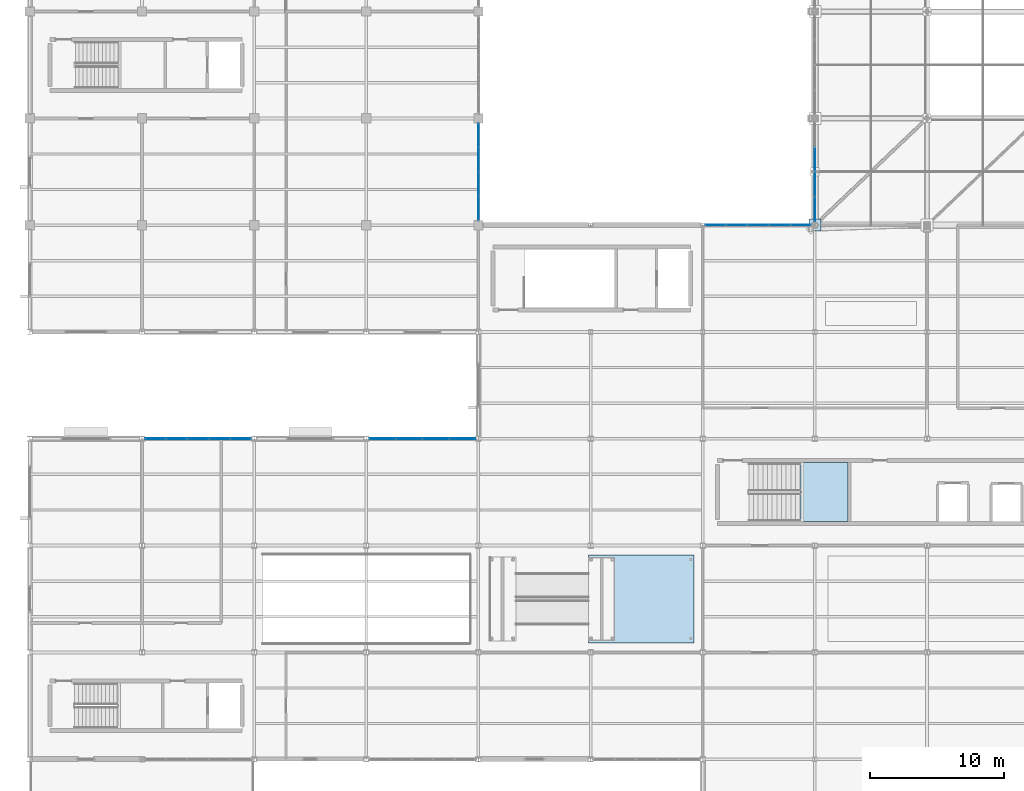
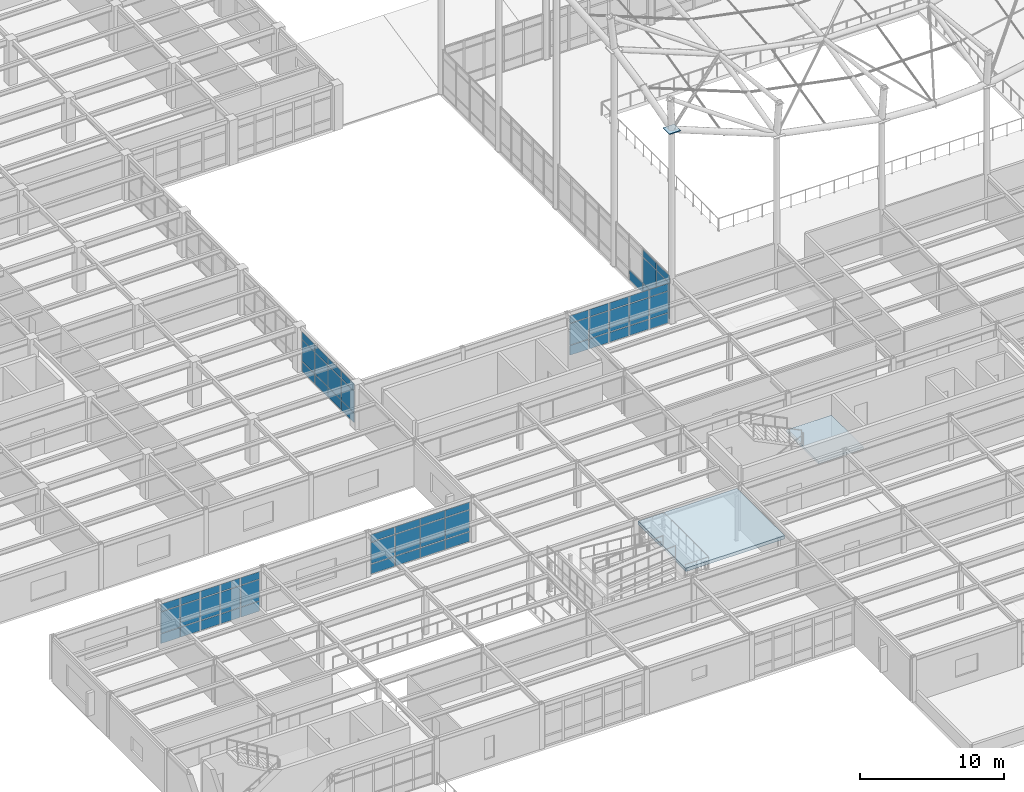
# One storey, part 57 of 138: 62 plates, 2 slabs, 7 elements without a shape of their own.
"""IFC4 building model written with IfcOpenShell, lengths in metres."""

from ifc_helpers import new_model, si_unit, direction, frame, origin, origin_2d, place, context, subcontext, project, spatial, polyline, rectangle, outline, extrude, material, layer, layer_set, type_object, element, aggregate, save


model = new_model("IFC4")

# Units and contexts
model_context = context("Model", 3, precision=1e-05, world=origin(), true_north=direction((0.0, 1.0)))
body_context = subcontext(model_context, "Body", "Model", "MODEL_VIEW")
ifc_project = project(units=[si_unit("LENGTHUNIT", "METRE"), si_unit("AREAUNIT", "SQUARE_METRE"), si_unit("VOLUMEUNIT", "CUBIC_METRE"), si_unit("PLANEANGLEUNIT", "RADIAN"), si_unit("MASSUNIT", "GRAM", prefix="KILO")], contexts=[model_context])

# Site, building, storey
site_placement = place(None, origin())
site = spatial("IfcSite", under=ifc_project, at=site_placement, CompositionType="ELEMENT")
building_placement = place(site_placement, origin())
building = spatial("IfcBuilding", under=site, at=building_placement, Name="Kranzveld Transit Interchange", CompositionType="ELEMENT")
storey_placement = place(building_placement, frame((0.0, 0.0, 5.43994140625)))
storey = spatial("IfcBuildingStorey", under=building, at=storey_placement, Name="L01", CompositionType="ELEMENT", Elevation=5.43994140625)

# Curtain wall, plates
ifc_material_1 = material(Name="Bronze-anodised thermally broken aluminium", Category="aluminium")
ifc_layer_1 = layer(ifc_material_1, 0.159912109375)
ifc_layer_set_1 = layer_set([ifc_layer_1], Name="Bronze-anodised thermally broken aluminium")
curtain_wall_type_1 = type_object("IfcCurtainWallType", Name="Bus Boarding Glazed Screen CW-3", PredefinedType="USERDEFINED", material=ifc_layer_set_1)
curtain_wall_1_placement = place(storey_placement, origin())
curtain_wall_1 = element("IfcCurtainWall", 1, at=curtain_wall_1_placement, inside=storey, type_object=curtain_wall_type_1, Name="L01 Curtain Wall 05/H-05/J", ObjectType="CURTAIN WALL", PredefinedType="USERDEFINED")
ifc_material_2 = material(Name="Solar-control double glazing", Category="glass")
ifc_layer_2 = layer(ifc_material_2, 0.031982421875)
ifc_layer_set_2 = layer_set([ifc_layer_2], Name="Solar-control double glazing")
plate_type_1 = type_object("IfcPlateType", Name="Curtain Panel Acoustic Glazing 32", PredefinedType="CURTAIN_PANEL", material=ifc_layer_set_2)
plate_1_placement = place(storey_placement, frame((33.60009765625, 57.277587890625, 0.06005859375), z_axis=(0.0, 0.0, 1.0), x_axis=(0.0, 1.0, 0.0)))
plate_1 = element("IfcPlate", 2, at=plate_1_placement, type_object=plate_type_1, Name="CW-3 panel 1.1", PredefinedType="CURTAIN_PANEL", context=body_context, shape_type="SweptSolid", body=[
    extrude(rectangle(XDim=1.735107421875, YDim=0.031982421875, at=origin_2d()), origin(), (0.0, 0.0, 1.0), 0.81005859375),
])
plate_2_placement = place(storey_placement, frame((33.60009765625, 57.277587890625, 0.93017578125), z_axis=(0.0, 0.0, 1.0), x_axis=(0.0, 1.0, 0.0)))
plate_2 = element("IfcPlate", 3, at=plate_2_placement, type_object=plate_type_1, Name="CW-3 panel 1.2", PredefinedType="CURTAIN_PANEL", context=body_context, shape_type="SweptSolid", body=[
    extrude(rectangle(XDim=1.735107421875, YDim=0.031982421875, at=origin_2d()), origin(), (0.0, 0.0, 1.0), 1.781982421875),
])
plate_3_placement = place(storey_placement, frame((33.60009765625, 57.277587890625, 2.77197265625), z_axis=(0.0, 0.0, 1.0), x_axis=(0.0, 1.0, 0.0)))
plate_3 = element("IfcPlate", 4, at=plate_3_placement, type_object=plate_type_1, Name="CW-3 panel 1.3", PredefinedType="CURTAIN_PANEL", context=body_context, shape_type="SweptSolid", body=[
    extrude(rectangle(XDim=1.735107421875, YDim=0.031982421875, at=origin_2d()), origin(), (0.0, 0.0, 1.0), 0.610107421875),
])
plate_4_placement = place(storey_placement, frame((33.60009765625, 59.08740234375, 0.06005859375), z_axis=(0.0, 0.0, 1.0), x_axis=(0.0, 1.0, 0.0)))
plate_4 = element("IfcPlate", 5, at=plate_4_placement, type_object=plate_type_1, Name="CW-3 panel 2.1", PredefinedType="CURTAIN_PANEL", context=body_context, shape_type="SweptSolid", body=[
    extrude(rectangle(XDim=1.764892578125, YDim=0.031982421875, at=origin_2d()), origin(), (0.0, 0.0, 1.0), 0.81005859375),
])
plate_5_placement = place(storey_placement, frame((33.60009765625, 59.08740234375, 0.93017578125), z_axis=(0.0, 0.0, 1.0), x_axis=(0.0, 1.0, 0.0)))
plate_5 = element("IfcPlate", 6, at=plate_5_placement, type_object=plate_type_1, Name="CW-3 panel 2.2", PredefinedType="CURTAIN_PANEL", context=body_context, shape_type="SweptSolid", body=[
    extrude(rectangle(XDim=1.764892578125, YDim=0.031982421875, at=origin_2d()), origin(), (0.0, 0.0, 1.0), 1.781982421875),
])
plate_6_placement = place(storey_placement, frame((33.60009765625, 59.08740234375, 2.77197265625), z_axis=(0.0, 0.0, 1.0), x_axis=(0.0, 1.0, 0.0)))
plate_6 = element("IfcPlate", 7, at=plate_6_placement, type_object=plate_type_1, Name="CW-3 panel 2.3", PredefinedType="CURTAIN_PANEL", context=body_context, shape_type="SweptSolid", body=[
    extrude(rectangle(XDim=1.764892578125, YDim=0.031982421875, at=origin_2d()), origin(), (0.0, 0.0, 1.0), 0.610107421875),
])
plate_7_placement = place(storey_placement, frame((33.60009765625, 60.91259765625, 0.06005859375), z_axis=(0.0, 0.0, 1.0), x_axis=(0.0, 1.0, 0.0)))
plate_7 = element("IfcPlate", 8, at=plate_7_placement, type_object=plate_type_1, Name="CW-3 panel 3.1", PredefinedType="CURTAIN_PANEL", context=body_context, shape_type="SweptSolid", body=[
    extrude(rectangle(XDim=1.764892578125, YDim=0.031982421875, at=origin_2d()), origin(), (0.0, 0.0, 1.0), 0.81005859375),
])
plate_8_placement = place(storey_placement, frame((33.60009765625, 60.91259765625, 0.93017578125), z_axis=(0.0, 0.0, 1.0), x_axis=(0.0, 1.0, 0.0)))
plate_8 = element("IfcPlate", 9, at=plate_8_placement, type_object=plate_type_1, Name="CW-3 panel 3.2", PredefinedType="CURTAIN_PANEL", context=body_context, shape_type="SweptSolid", body=[
    extrude(rectangle(XDim=1.764892578125, YDim=0.031982421875, at=origin_2d()), origin(), (0.0, 0.0, 1.0), 1.781982421875),
])
plate_9_placement = place(storey_placement, frame((33.60009765625, 60.91259765625, 2.77197265625), z_axis=(0.0, 0.0, 1.0), x_axis=(0.0, 1.0, 0.0)))
plate_9 = element("IfcPlate", 10, at=plate_9_placement, type_object=plate_type_1, Name="CW-3 panel 3.3", PredefinedType="CURTAIN_PANEL", context=body_context, shape_type="SweptSolid", body=[
    extrude(rectangle(XDim=1.764892578125, YDim=0.031982421875, at=origin_2d()), origin(), (0.0, 0.0, 1.0), 0.610107421875),
])
plate_10_placement = place(storey_placement, frame((33.60009765625, 62.722412109375, 0.06005859375), z_axis=(0.0, 0.0, 1.0), x_axis=(0.0, 1.0, 0.0)))
plate_10 = element("IfcPlate", 11, at=plate_10_placement, type_object=plate_type_1, Name="CW-3 panel 4.1", PredefinedType="CURTAIN_PANEL", context=body_context, shape_type="SweptSolid", body=[
    extrude(rectangle(XDim=1.735107421875, YDim=0.031982421875, at=origin_2d()), origin(), (0.0, 0.0, 1.0), 0.81005859375),
])
plate_11_placement = place(storey_placement, frame((33.60009765625, 62.722412109375, 0.93017578125), z_axis=(0.0, 0.0, 1.0), x_axis=(0.0, 1.0, 0.0)))
plate_11 = element("IfcPlate", 12, at=plate_11_placement, type_object=plate_type_1, Name="CW-3 panel 4.2", PredefinedType="CURTAIN_PANEL", context=body_context, shape_type="SweptSolid", body=[
    extrude(rectangle(XDim=1.735107421875, YDim=0.031982421875, at=origin_2d()), origin(), (0.0, 0.0, 1.0), 1.781982421875),
])
plate_12_placement = place(storey_placement, frame((33.60009765625, 62.722412109375, 2.77197265625), z_axis=(0.0, 0.0, 1.0), x_axis=(0.0, 1.0, 0.0)))
plate_12 = element("IfcPlate", 13, at=plate_12_placement, type_object=plate_type_1, Name="CW-3 panel 4.3", PredefinedType="CURTAIN_PANEL", context=body_context, shape_type="SweptSolid", body=[
    extrude(rectangle(XDim=1.735107421875, YDim=0.031982421875, at=origin_2d()), origin(), (0.0, 0.0, 1.0), 0.610107421875),
])
aggregate(curtain_wall_1, [plate_1, plate_2, plate_3, plate_4, plate_5, plate_6, plate_7, plate_8, plate_9, plate_10, plate_11, plate_12])

ifc_material_3 = material(Name="Bronze-anodised thermally broken aluminium", Category="aluminium")
ifc_layer_3 = layer(ifc_material_3, 0.1650390625)
ifc_layer_set_3 = layer_set([ifc_layer_3], Name="Bronze-anodised thermally broken aluminium")
curtain_wall_type_2 = type_object("IfcCurtainWallType", Name="Sunny Court Arcade Curtain Wall CW-2", PredefinedType="USERDEFINED", material=ifc_layer_set_3)
curtain_wall_2_placement = place(storey_placement, origin())
curtain_wall_2 = element("IfcCurtainWall", 14, at=curtain_wall_2_placement, inside=storey, type_object=curtain_wall_type_2, Name="L01 Curtain Wall 02/F-03/F", ObjectType="CURTAIN WALL", PredefinedType="USERDEFINED")
ifc_material_4 = material(Name="Pretoria red-purple clinker clay face brick, 35 MPa", Category="masonry")
ifc_layer_4 = layer(ifc_material_4, 0.050048828125)
ifc_layer_set_4 = layer_set([ifc_layer_4], Name="Pretoria red-purple clinker clay face brick, 35 MPa")
plate_type_2 = type_object("IfcPlateType", Name="Curtain Spandrel Clinker Tile 50", PredefinedType="CURTAIN_PANEL", material=ifc_layer_set_4)
plate_13_placement = place(storey_placement, frame((9.406005859375, 40.0, 0.06005859375), z_axis=(0.0, 0.0, 1.0), x_axis=(1.0, 0.0, 0.0)))
plate_13 = element("IfcPlate", 15, at=plate_13_placement, type_object=plate_type_2, Name="CW-2 panel 1.1", PredefinedType="CURTAIN_PANEL", context=body_context, shape_type="SweptSolid", body=[
    extrude(rectangle(XDim=1.507568359375, YDim=0.050048828125, at=origin_2d()), origin(), (0.0, 0.0, 1.0), 0.81005859375),
])
plate_14_placement = place(storey_placement, frame((9.406005859375, 40.0, 0.929931640625), z_axis=(0.0, 0.0, 1.0), x_axis=(1.0, 0.0, 0.0)))
plate_14 = element("IfcPlate", 16, at=plate_14_placement, type_object=plate_type_2, Name="CW-2 panel 1.2", PredefinedType="CURTAIN_PANEL", context=body_context, shape_type="SweptSolid", body=[
    extrude(rectangle(XDim=1.507568359375, YDim=0.050048828125, at=origin_2d()), origin(), (0.0, 0.0, 1.0), 1.7900390625),
])
plate_15_placement = place(storey_placement, frame((9.406005859375, 40.0, 2.77978515625), z_axis=(0.0, 0.0, 1.0), x_axis=(1.0, 0.0, 0.0)))
plate_15 = element("IfcPlate", 17, at=plate_15_placement, type_object=plate_type_2, Name="CW-2 panel 1.3", PredefinedType="CURTAIN_PANEL", context=body_context, shape_type="SweptSolid", body=[
    extrude(rectangle(XDim=1.507568359375, YDim=0.050048828125, at=origin_2d()), origin(), (0.0, 0.0, 1.0), 0.610107421875),
])
plate_16_placement = place(storey_placement, frame((10.994873046875, 40.0, 0.06005859375), z_axis=(0.0, 0.0, 1.0), x_axis=(1.0, 0.0, 0.0)))
plate_16 = element("IfcPlate", 18, at=plate_16_placement, type_object=plate_type_2, Name="CW-2 panel 2.1", PredefinedType="CURTAIN_PANEL", context=body_context, shape_type="SweptSolid", body=[
    extrude(rectangle(XDim=1.5400390625, YDim=0.050048828125, at=origin_2d()), origin(), (0.0, 0.0, 1.0), 0.81005859375),
])
plate_17_placement = place(storey_placement, frame((10.994873046875, 40.0, 0.929931640625), z_axis=(0.0, 0.0, 1.0), x_axis=(1.0, 0.0, 0.0)))
plate_17 = element("IfcPlate", 19, at=plate_17_placement, type_object=plate_type_2, Name="CW-2 panel 2.2", PredefinedType="CURTAIN_PANEL", context=body_context, shape_type="SweptSolid", body=[
    extrude(rectangle(XDim=1.5400390625, YDim=0.050048828125, at=origin_2d()), origin(), (0.0, 0.0, 1.0), 1.7900390625),
])
plate_18_placement = place(storey_placement, frame((10.994873046875, 40.0, 2.77978515625), z_axis=(0.0, 0.0, 1.0), x_axis=(1.0, 0.0, 0.0)))
plate_18 = element("IfcPlate", 20, at=plate_18_placement, type_object=plate_type_2, Name="CW-2 panel 2.3", PredefinedType="CURTAIN_PANEL", context=body_context, shape_type="SweptSolid", body=[
    extrude(rectangle(XDim=1.5400390625, YDim=0.050048828125, at=origin_2d()), origin(), (0.0, 0.0, 1.0), 0.610107421875),
])
plate_19_placement = place(storey_placement, frame((12.60009765625, 40.0, 0.06005859375), z_axis=(0.0, 0.0, 1.0), x_axis=(1.0, 0.0, 0.0)))
plate_19 = element("IfcPlate", 21, at=plate_19_placement, type_object=plate_type_2, Name="CW-2 panel 3.1", PredefinedType="CURTAIN_PANEL", context=body_context, shape_type="SweptSolid", body=[
    extrude(rectangle(XDim=1.5400390625, YDim=0.050048828125, at=origin_2d()), origin(), (0.0, 0.0, 1.0), 0.81005859375),
])
plate_20_placement = place(storey_placement, frame((12.60009765625, 40.0, 0.929931640625), z_axis=(0.0, 0.0, 1.0), x_axis=(1.0, 0.0, 0.0)))
plate_20 = element("IfcPlate", 22, at=plate_20_placement, type_object=plate_type_2, Name="CW-2 panel 3.2", PredefinedType="CURTAIN_PANEL", context=body_context, shape_type="SweptSolid", body=[
    extrude(rectangle(XDim=1.5400390625, YDim=0.050048828125, at=origin_2d()), origin(), (0.0, 0.0, 1.0), 1.7900390625),
])
plate_21_placement = place(storey_placement, frame((12.60009765625, 40.0, 2.77978515625), z_axis=(0.0, 0.0, 1.0), x_axis=(1.0, 0.0, 0.0)))
plate_21 = element("IfcPlate", 23, at=plate_21_placement, type_object=plate_type_2, Name="CW-2 panel 3.3", PredefinedType="CURTAIN_PANEL", context=body_context, shape_type="SweptSolid", body=[
    extrude(rectangle(XDim=1.5400390625, YDim=0.050048828125, at=origin_2d()), origin(), (0.0, 0.0, 1.0), 0.610107421875),
])
plate_22_placement = place(storey_placement, frame((14.205078125, 40.0, 0.06005859375), z_axis=(0.0, 0.0, 1.0), x_axis=(1.0, 0.0, 0.0)))
plate_22 = element("IfcPlate", 24, at=plate_22_placement, type_object=plate_type_2, Name="CW-2 panel 4.1", PredefinedType="CURTAIN_PANEL", context=body_context, shape_type="SweptSolid", body=[
    extrude(rectangle(XDim=1.5400390625, YDim=0.050048828125, at=origin_2d()), origin(), (0.0, 0.0, 1.0), 0.81005859375),
])
plate_23_placement = place(storey_placement, frame((14.205078125, 40.0, 0.929931640625), z_axis=(0.0, 0.0, 1.0), x_axis=(1.0, 0.0, 0.0)))
plate_23 = element("IfcPlate", 25, at=plate_23_placement, type_object=plate_type_2, Name="CW-2 panel 4.2", PredefinedType="CURTAIN_PANEL", context=body_context, shape_type="SweptSolid", body=[
    extrude(rectangle(XDim=1.5400390625, YDim=0.050048828125, at=origin_2d()), origin(), (0.0, 0.0, 1.0), 1.7900390625),
])
plate_24_placement = place(storey_placement, frame((14.205078125, 40.0, 2.77978515625), z_axis=(0.0, 0.0, 1.0), x_axis=(1.0, 0.0, 0.0)))
plate_24 = element("IfcPlate", 26, at=plate_24_placement, type_object=plate_type_2, Name="CW-2 panel 4.3", PredefinedType="CURTAIN_PANEL", context=body_context, shape_type="SweptSolid", body=[
    extrude(rectangle(XDim=1.5400390625, YDim=0.050048828125, at=origin_2d()), origin(), (0.0, 0.0, 1.0), 0.610107421875),
])
plate_25_placement = place(storey_placement, frame((15.7939453125, 40.0, 0.06005859375), z_axis=(0.0, 0.0, 1.0), x_axis=(1.0, 0.0, 0.0)))
plate_25 = element("IfcPlate", 27, at=plate_25_placement, type_object=plate_type_2, Name="CW-2 panel 5.1", PredefinedType="CURTAIN_PANEL", context=body_context, shape_type="SweptSolid", body=[
    extrude(rectangle(XDim=1.507568359375, YDim=0.050048828125, at=origin_2d()), origin(), (0.0, 0.0, 1.0), 0.81005859375),
])
plate_26_placement = place(storey_placement, frame((15.7939453125, 40.0, 0.929931640625), z_axis=(0.0, 0.0, 1.0), x_axis=(1.0, 0.0, 0.0)))
plate_26 = element("IfcPlate", 28, at=plate_26_placement, type_object=plate_type_2, Name="CW-2 panel 5.2", PredefinedType="CURTAIN_PANEL", context=body_context, shape_type="SweptSolid", body=[
    extrude(rectangle(XDim=1.507568359375, YDim=0.050048828125, at=origin_2d()), origin(), (0.0, 0.0, 1.0), 1.7900390625),
])
plate_27_placement = place(storey_placement, frame((15.7939453125, 40.0, 2.77978515625), z_axis=(0.0, 0.0, 1.0), x_axis=(1.0, 0.0, 0.0)))
plate_27 = element("IfcPlate", 29, at=plate_27_placement, type_object=plate_type_2, Name="CW-2 panel 5.3", PredefinedType="CURTAIN_PANEL", context=body_context, shape_type="SweptSolid", body=[
    extrude(rectangle(XDim=1.507568359375, YDim=0.050048828125, at=origin_2d()), origin(), (0.0, 0.0, 1.0), 0.610107421875),
])
aggregate(curtain_wall_2, [plate_13, plate_14, plate_15, plate_16, plate_17, plate_18, plate_19, plate_20, plate_21, plate_22, plate_23, plate_24, plate_25, plate_26, plate_27])

curtain_wall_3_placement = place(storey_placement, origin())
curtain_wall_3 = element("IfcCurtainWall", 30, at=curtain_wall_3_placement, inside=storey, type_object=curtain_wall_type_2, Name="L01 Curtain Wall 07/H-08/H", ObjectType="CURTAIN WALL", PredefinedType="USERDEFINED")
plate_28_placement = place(storey_placement, frame((51.37255859375, 56.0, 0.06005859375), z_axis=(0.0, 0.0, 1.0), x_axis=(1.0, 0.0, 0.0)))
plate_28 = element("IfcPlate", 31, at=plate_28_placement, type_object=plate_type_2, Name="CW-2 panel 1.1", PredefinedType="CURTAIN_PANEL", context=body_context, shape_type="SweptSolid", body=[
    extrude(rectangle(XDim=1.505859375, YDim=0.050048828125, at=origin_2d()), origin(), (0.0, 0.0, 1.0), 0.81005859375),
])
plate_29_placement = place(storey_placement, frame((51.37255859375, 56.0, 0.929931640625), z_axis=(0.0, 0.0, 1.0), x_axis=(1.0, 0.0, 0.0)))
plate_29 = element("IfcPlate", 32, at=plate_29_placement, type_object=plate_type_2, Name="CW-2 panel 1.2", PredefinedType="CURTAIN_PANEL", context=body_context, shape_type="SweptSolid", body=[
    extrude(rectangle(XDim=1.505859375, YDim=0.050048828125, at=origin_2d()), origin(), (0.0, 0.0, 1.0), 1.7900390625),
])
plate_30_placement = place(storey_placement, frame((51.37255859375, 56.0, 2.77978515625), z_axis=(0.0, 0.0, 1.0), x_axis=(1.0, 0.0, 0.0)))
plate_30 = element("IfcPlate", 33, at=plate_30_placement, type_object=plate_type_2, Name="CW-2 panel 1.3", PredefinedType="CURTAIN_PANEL", context=body_context, shape_type="SweptSolid", body=[
    extrude(rectangle(XDim=1.505859375, YDim=0.050048828125, at=origin_2d()), origin(), (0.0, 0.0, 1.0), 0.610107421875),
])
plate_31_placement = place(storey_placement, frame((52.959716796875, 56.0, 0.06005859375), z_axis=(0.0, 0.0, 1.0), x_axis=(1.0, 0.0, 0.0)))
plate_31 = element("IfcPlate", 34, at=plate_31_placement, type_object=plate_type_2, Name="CW-2 panel 2.1", PredefinedType="CURTAIN_PANEL", context=body_context, shape_type="SweptSolid", body=[
    extrude(rectangle(XDim=1.538330078125, YDim=0.050048828125, at=origin_2d()), origin(), (0.0, 0.0, 1.0), 0.81005859375),
])
plate_32_placement = place(storey_placement, frame((52.959716796875, 56.0, 0.929931640625), z_axis=(0.0, 0.0, 1.0), x_axis=(1.0, 0.0, 0.0)))
plate_32 = element("IfcPlate", 35, at=plate_32_placement, type_object=plate_type_2, Name="CW-2 panel 2.2", PredefinedType="CURTAIN_PANEL", context=body_context, shape_type="SweptSolid", body=[
    extrude(rectangle(XDim=1.538330078125, YDim=0.050048828125, at=origin_2d()), origin(), (0.0, 0.0, 1.0), 1.7900390625),
])
plate_33_placement = place(storey_placement, frame((52.959716796875, 56.0, 2.77978515625), z_axis=(0.0, 0.0, 1.0), x_axis=(1.0, 0.0, 0.0)))
plate_33 = element("IfcPlate", 36, at=plate_33_placement, type_object=plate_type_2, Name="CW-2 panel 2.3", PredefinedType="CURTAIN_PANEL", context=body_context, shape_type="SweptSolid", body=[
    extrude(rectangle(XDim=1.538330078125, YDim=0.050048828125, at=origin_2d()), origin(), (0.0, 0.0, 1.0), 0.610107421875),
])
plate_34_placement = place(storey_placement, frame((54.56298828125, 56.0, 0.06005859375), z_axis=(0.0, 0.0, 1.0), x_axis=(1.0, 0.0, 0.0)))
plate_34 = element("IfcPlate", 37, at=plate_34_placement, type_object=plate_type_2, Name="CW-2 panel 3.1", PredefinedType="CURTAIN_PANEL", context=body_context, shape_type="SweptSolid", body=[
    extrude(rectangle(XDim=1.538330078125, YDim=0.050048828125, at=origin_2d()), origin(), (0.0, 0.0, 1.0), 0.81005859375),
])
plate_35_placement = place(storey_placement, frame((54.56298828125, 56.0, 0.929931640625), z_axis=(0.0, 0.0, 1.0), x_axis=(1.0, 0.0, 0.0)))
plate_35 = element("IfcPlate", 38, at=plate_35_placement, type_object=plate_type_2, Name="CW-2 panel 3.2", PredefinedType="CURTAIN_PANEL", context=body_context, shape_type="SweptSolid", body=[
    extrude(rectangle(XDim=1.538330078125, YDim=0.050048828125, at=origin_2d()), origin(), (0.0, 0.0, 1.0), 1.7900390625),
])
plate_36_placement = place(storey_placement, frame((54.56298828125, 56.0, 2.77978515625), z_axis=(0.0, 0.0, 1.0), x_axis=(1.0, 0.0, 0.0)))
plate_36 = element("IfcPlate", 39, at=plate_36_placement, type_object=plate_type_2, Name="CW-2 panel 3.3", PredefinedType="CURTAIN_PANEL", context=body_context, shape_type="SweptSolid", body=[
    extrude(rectangle(XDim=1.538330078125, YDim=0.050048828125, at=origin_2d()), origin(), (0.0, 0.0, 1.0), 0.610107421875),
])
plate_37_placement = place(storey_placement, frame((56.16650390625, 56.0, 0.06005859375), z_axis=(0.0, 0.0, 1.0), x_axis=(1.0, 0.0, 0.0)))
plate_37 = element("IfcPlate", 40, at=plate_37_placement, type_object=plate_type_2, Name="CW-2 panel 4.1", PredefinedType="CURTAIN_PANEL", context=body_context, shape_type="SweptSolid", body=[
    extrude(rectangle(XDim=1.538330078125, YDim=0.050048828125, at=origin_2d()), origin(), (0.0, 0.0, 1.0), 0.81005859375),
])
plate_38_placement = place(storey_placement, frame((56.16650390625, 56.0, 0.929931640625), z_axis=(0.0, 0.0, 1.0), x_axis=(1.0, 0.0, 0.0)))
plate_38 = element("IfcPlate", 41, at=plate_38_placement, type_object=plate_type_2, Name="CW-2 panel 4.2", PredefinedType="CURTAIN_PANEL", context=body_context, shape_type="SweptSolid", body=[
    extrude(rectangle(XDim=1.538330078125, YDim=0.050048828125, at=origin_2d()), origin(), (0.0, 0.0, 1.0), 1.7900390625),
])
plate_39_placement = place(storey_placement, frame((56.16650390625, 56.0, 2.77978515625), z_axis=(0.0, 0.0, 1.0), x_axis=(1.0, 0.0, 0.0)))
plate_39 = element("IfcPlate", 42, at=plate_39_placement, type_object=plate_type_2, Name="CW-2 panel 4.3", PredefinedType="CURTAIN_PANEL", context=body_context, shape_type="SweptSolid", body=[
    extrude(rectangle(XDim=1.538330078125, YDim=0.050048828125, at=origin_2d()), origin(), (0.0, 0.0, 1.0), 0.610107421875),
])
plate_40_placement = place(storey_placement, frame((57.753662109375, 56.0, 0.06005859375), z_axis=(0.0, 0.0, 1.0), x_axis=(1.0, 0.0, 0.0)))
plate_40 = element("IfcPlate", 43, at=plate_40_placement, type_object=plate_type_2, Name="CW-2 panel 5.1", PredefinedType="CURTAIN_PANEL", context=body_context, shape_type="SweptSolid", body=[
    extrude(rectangle(XDim=1.505859375, YDim=0.050048828125, at=origin_2d()), origin(), (0.0, 0.0, 1.0), 0.81005859375),
])
plate_41_placement = place(storey_placement, frame((57.753662109375, 56.0, 0.929931640625), z_axis=(0.0, 0.0, 1.0), x_axis=(1.0, 0.0, 0.0)))
plate_41 = element("IfcPlate", 44, at=plate_41_placement, type_object=plate_type_2, Name="CW-2 panel 5.2", PredefinedType="CURTAIN_PANEL", context=body_context, shape_type="SweptSolid", body=[
    extrude(rectangle(XDim=1.505859375, YDim=0.050048828125, at=origin_2d()), origin(), (0.0, 0.0, 1.0), 1.7900390625),
])
plate_42_placement = place(storey_placement, frame((57.753662109375, 56.0, 2.77978515625), z_axis=(0.0, 0.0, 1.0), x_axis=(1.0, 0.0, 0.0)))
plate_42 = element("IfcPlate", 45, at=plate_42_placement, type_object=plate_type_2, Name="CW-2 panel 5.3", PredefinedType="CURTAIN_PANEL", context=body_context, shape_type="SweptSolid", body=[
    extrude(rectangle(XDim=1.505859375, YDim=0.050048828125, at=origin_2d()), origin(), (0.0, 0.0, 1.0), 0.610107421875),
])
aggregate(curtain_wall_3, [plate_28, plate_29, plate_30, plate_31, plate_32, plate_33, plate_34, plate_35, plate_36, plate_37, plate_38, plate_39, plate_40, plate_41, plate_42])

curtain_wall_4_placement = place(storey_placement, origin())
curtain_wall_4 = element("IfcCurtainWall", 46, at=curtain_wall_4_placement, inside=storey, type_object=curtain_wall_type_1, Name="L01 Curtain Wall 04/F-05/F", ObjectType="CURTAIN WALL", PredefinedType="USERDEFINED")
ifc_material_5 = material(Name="Bronze-anodised thermally broken aluminium", Category="aluminium")
ifc_layer_5 = layer(ifc_material_5, 0.053955078125)
ifc_layer_set_5 = layer_set([ifc_layer_5], Name="Bronze-anodised thermally broken aluminium")
plate_type_3 = type_object("IfcPlateType", Name="Curtain Spandrel Insulated Alu 54", PredefinedType="CURTAIN_PANEL", material=ifc_layer_set_5)
plate_43_placement = place(storey_placement, frame((26.405517578125, 40.0, 0.06494140625), z_axis=(0.0, 0.0, 1.0), x_axis=(1.0, 0.0, 0.0)))
plate_43 = element("IfcPlate", 47, at=plate_43_placement, type_object=plate_type_3, Name="CW-3 panel 1.1", PredefinedType="CURTAIN_PANEL", context=body_context, shape_type="SweptSolid", body=[
    extrude(rectangle(XDim=1.916259765625, YDim=0.053955078125, at=origin_2d()), origin(), (0.0, 0.0, 1.0), 0.802490234375),
])
plate_44_placement = place(storey_placement, frame((26.405517578125, 40.0, 0.9326171875), z_axis=(0.0, 0.0, 1.0), x_axis=(1.0, 0.0, 0.0)))
plate_44 = element("IfcPlate", 48, at=plate_44_placement, type_object=plate_type_3, Name="CW-3 panel 1.2", PredefinedType="CURTAIN_PANEL", context=body_context, shape_type="SweptSolid", body=[
    extrude(rectangle(XDim=1.916259765625, YDim=0.053955078125, at=origin_2d()), origin(), (0.0, 0.0, 1.0), 1.784912109375),
])
plate_45_placement = place(storey_placement, frame((26.405517578125, 40.0, 2.782470703125), z_axis=(0.0, 0.0, 1.0), x_axis=(1.0, 0.0, 0.0)))
plate_45 = element("IfcPlate", 49, at=plate_45_placement, type_object=plate_type_3, Name="CW-3 panel 1.3", PredefinedType="CURTAIN_PANEL", context=body_context, shape_type="SweptSolid", body=[
    extrude(rectangle(XDim=1.916259765625, YDim=0.053955078125, at=origin_2d()), origin(), (0.0, 0.0, 1.0), 0.6025390625),
])
plate_46_placement = place(storey_placement, frame((28.396728515625, 40.0, 0.06494140625), z_axis=(0.0, 0.0, 1.0), x_axis=(1.0, 0.0, 0.0)))
plate_46 = element("IfcPlate", 50, at=plate_46_placement, type_object=plate_type_3, Name="CW-3 panel 2.1", PredefinedType="CURTAIN_PANEL", context=body_context, shape_type="SweptSolid", body=[
    extrude(rectangle(XDim=1.9462890625, YDim=0.053955078125, at=origin_2d()), origin(), (0.0, 0.0, 1.0), 0.802490234375),
])
plate_47_placement = place(storey_placement, frame((28.396728515625, 40.0, 0.9326171875), z_axis=(0.0, 0.0, 1.0), x_axis=(1.0, 0.0, 0.0)))
plate_47 = element("IfcPlate", 51, at=plate_47_placement, type_object=plate_type_3, Name="CW-3 panel 2.2", PredefinedType="CURTAIN_PANEL", context=body_context, shape_type="SweptSolid", body=[
    extrude(rectangle(XDim=1.9462890625, YDim=0.053955078125, at=origin_2d()), origin(), (0.0, 0.0, 1.0), 1.784912109375),
])
plate_48_placement = place(storey_placement, frame((28.396728515625, 40.0, 2.782470703125), z_axis=(0.0, 0.0, 1.0), x_axis=(1.0, 0.0, 0.0)))
plate_48 = element("IfcPlate", 52, at=plate_48_placement, type_object=plate_type_3, Name="CW-3 panel 2.3", PredefinedType="CURTAIN_PANEL", context=body_context, shape_type="SweptSolid", body=[
    extrude(rectangle(XDim=1.9462890625, YDim=0.053955078125, at=origin_2d()), origin(), (0.0, 0.0, 1.0), 0.6025390625),
])
plate_49_placement = place(storey_placement, frame((30.403076171875, 40.0, 0.06494140625), z_axis=(0.0, 0.0, 1.0), x_axis=(1.0, 0.0, 0.0)))
plate_49 = element("IfcPlate", 53, at=plate_49_placement, type_object=plate_type_3, Name="CW-3 panel 3.1", PredefinedType="CURTAIN_PANEL", context=body_context, shape_type="SweptSolid", body=[
    extrude(rectangle(XDim=1.9462890625, YDim=0.053955078125, at=origin_2d()), origin(), (0.0, 0.0, 1.0), 0.802490234375),
])
plate_50_placement = place(storey_placement, frame((30.403076171875, 40.0, 0.9326171875), z_axis=(0.0, 0.0, 1.0), x_axis=(1.0, 0.0, 0.0)))
plate_50 = element("IfcPlate", 54, at=plate_50_placement, type_object=plate_type_3, Name="CW-3 panel 3.2", PredefinedType="CURTAIN_PANEL", context=body_context, shape_type="SweptSolid", body=[
    extrude(rectangle(XDim=1.9462890625, YDim=0.053955078125, at=origin_2d()), origin(), (0.0, 0.0, 1.0), 1.784912109375),
])
plate_51_placement = place(storey_placement, frame((30.403076171875, 40.0, 2.782470703125), z_axis=(0.0, 0.0, 1.0), x_axis=(1.0, 0.0, 0.0)))
plate_51 = element("IfcPlate", 55, at=plate_51_placement, type_object=plate_type_3, Name="CW-3 panel 3.3", PredefinedType="CURTAIN_PANEL", context=body_context, shape_type="SweptSolid", body=[
    extrude(rectangle(XDim=1.9462890625, YDim=0.053955078125, at=origin_2d()), origin(), (0.0, 0.0, 1.0), 0.6025390625),
])
plate_52_placement = place(storey_placement, frame((32.39453125, 40.0, 0.06494140625), z_axis=(0.0, 0.0, 1.0), x_axis=(1.0, 0.0, 0.0)))
plate_52 = element("IfcPlate", 56, at=plate_52_placement, type_object=plate_type_3, Name="CW-3 panel 4.1", PredefinedType="CURTAIN_PANEL", context=body_context, shape_type="SweptSolid", body=[
    extrude(rectangle(XDim=1.916259765625, YDim=0.053955078125, at=origin_2d()), origin(), (0.0, 0.0, 1.0), 0.802490234375),
])
plate_53_placement = place(storey_placement, frame((32.39453125, 40.0, 0.9326171875), z_axis=(0.0, 0.0, 1.0), x_axis=(1.0, 0.0, 0.0)))
plate_53 = element("IfcPlate", 57, at=plate_53_placement, type_object=plate_type_3, Name="CW-3 panel 4.2", PredefinedType="CURTAIN_PANEL", context=body_context, shape_type="SweptSolid", body=[
    extrude(rectangle(XDim=1.916259765625, YDim=0.053955078125, at=origin_2d()), origin(), (0.0, 0.0, 1.0), 1.784912109375),
])
plate_54_placement = place(storey_placement, frame((32.39453125, 40.0, 2.782470703125), z_axis=(0.0, 0.0, 1.0), x_axis=(1.0, 0.0, 0.0)))
plate_54 = element("IfcPlate", 58, at=plate_54_placement, type_object=plate_type_3, Name="CW-3 panel 4.3", PredefinedType="CURTAIN_PANEL", context=body_context, shape_type="SweptSolid", body=[
    extrude(rectangle(XDim=1.916259765625, YDim=0.053955078125, at=origin_2d()), origin(), (0.0, 0.0, 1.0), 0.6025390625),
])
aggregate(curtain_wall_4, [plate_43, plate_44, plate_45, plate_46, plate_47, plate_48, plate_49, plate_50, plate_51, plate_52, plate_53, plate_54])

curtain_wall_5_placement = place(storey_placement, origin())
curtain_wall_5 = element("IfcCurtainWall", 59, at=curtain_wall_5_placement, inside=storey, type_object=curtain_wall_type_1, Name="L01 Curtain Wall 08/H-08/J", ObjectType="CURTAIN WALL", PredefinedType="USERDEFINED")
plate_55_placement = place(storey_placement, frame((58.800048828125, 57.186279296875, 0.06494140625), z_axis=(0.0, 0.0, 1.0), x_axis=(0.0, 1.0, 0.0)))
plate_55 = element("IfcPlate", 60, at=plate_55_placement, type_object=plate_type_3, Name="CW-3 panel 1.1", PredefinedType="CURTAIN_PANEL", context=body_context, shape_type="SweptSolid", body=[
    extrude(rectangle(XDim=1.795654296875, YDim=0.053955078125, at=origin_2d()), origin(), (0.0, 0.0, 1.0), 0.802490234375),
])
plate_56_placement = place(storey_placement, frame((58.800048828125, 57.186279296875, 0.9326171875), z_axis=(0.0, 0.0, 1.0), x_axis=(0.0, 1.0, 0.0)))
plate_56 = element("IfcPlate", 61, at=plate_56_placement, type_object=plate_type_3, Name="CW-3 panel 1.2", PredefinedType="CURTAIN_PANEL", context=body_context, shape_type="SweptSolid", body=[
    extrude(rectangle(XDim=1.795654296875, YDim=0.053955078125, at=origin_2d()), origin(), (0.0, 0.0, 1.0), 2.135009765625),
])
plate_57_placement = place(storey_placement, frame((58.800048828125, 57.186279296875, 3.132568359375), z_axis=(0.0, 0.0, 1.0), x_axis=(0.0, 1.0, 0.0)))
plate_57 = element("IfcPlate", 62, at=plate_57_placement, type_object=plate_type_3, Name="CW-3 panel 1.3", PredefinedType="CURTAIN_PANEL", context=body_context, shape_type="SweptSolid", body=[
    extrude(rectangle(XDim=1.795654296875, YDim=0.053955078125, at=origin_2d()), origin(), (0.0, 0.0, 1.0), 0.6025390625),
])
plate_58_placement = place(storey_placement, frame((58.800048828125, 59.05712890625, 0.06494140625), z_axis=(0.0, 0.0, 1.0), x_axis=(0.0, 1.0, 0.0)))
plate_58 = element("IfcPlate", 63, at=plate_58_placement, type_object=plate_type_3, Name="CW-3 panel 2.1", PredefinedType="CURTAIN_PANEL", context=body_context, shape_type="SweptSolid", body=[
    extrude(rectangle(XDim=1.82568359375, YDim=0.053955078125, at=origin_2d()), origin(), (0.0, 0.0, 1.0), 0.802490234375),
])
plate_59_placement = place(storey_placement, frame((58.800048828125, 59.05712890625, 0.9326171875), z_axis=(0.0, 0.0, 1.0), x_axis=(0.0, 1.0, 0.0)))
plate_59 = element("IfcPlate", 64, at=plate_59_placement, type_object=plate_type_3, Name="CW-3 panel 2.2", PredefinedType="CURTAIN_PANEL", context=body_context, shape_type="SweptSolid", body=[
    extrude(rectangle(XDim=1.82568359375, YDim=0.053955078125, at=origin_2d()), origin(), (0.0, 0.0, 1.0), 2.135009765625),
])
plate_60_placement = place(storey_placement, frame((58.800048828125, 59.05712890625, 3.132568359375), z_axis=(0.0, 0.0, 1.0), x_axis=(0.0, 1.0, 0.0)))
plate_60 = element("IfcPlate", 65, at=plate_60_placement, type_object=plate_type_3, Name="CW-3 panel 2.3", PredefinedType="CURTAIN_PANEL", context=body_context, shape_type="SweptSolid", body=[
    extrude(rectangle(XDim=1.82568359375, YDim=0.053955078125, at=origin_2d()), origin(), (0.0, 0.0, 1.0), 0.6025390625),
])
plate_61_placement = place(storey_placement, frame((58.800048828125, 60.94287109375, 0.06494140625), z_axis=(0.0, 0.0, 1.0), x_axis=(0.0, 1.0, 0.0)))
plate_61 = element("IfcPlate", 66, at=plate_61_placement, type_object=plate_type_3, Name="CW-3 panel 3.1", PredefinedType="CURTAIN_PANEL", context=body_context, shape_type="SweptSolid", body=[
    extrude(rectangle(XDim=1.82568359375, YDim=0.053955078125, at=origin_2d()), origin(), (0.0, 0.0, 1.0), 0.802490234375),
])
aggregate(curtain_wall_5, [plate_55, plate_56, plate_57, plate_58, plate_59, plate_60, plate_61])

# Ramp, slab
ifc_material_6 = material(Name="Concrete C35/45", Category="concrete")
ramp_type = type_object("IfcRampType", Name="Accessible Cycle Ramp 1:12 1850W C35/45", PredefinedType="STRAIGHT_RUN_RAMP", material=ifc_material_6)
ramp_placement = place(storey_placement, origin())
ramp = element("IfcRamp", 67, at=ramp_placement, inside=storey, type_object=ramp_type, Name="L01 Cycle Hub 1:12 Ramp RMP-2", PredefinedType="STRAIGHT_RUN_RAMP")
ifc_material_7 = material(Name="Concrete C35/45", Category="concrete")
ifc_layer_6 = layer(ifc_material_7, 0.219970703125)
ifc_layer_set_6 = layer_set([ifc_layer_6], Name="Concrete C35/45")
slab_type_1 = type_object("IfcSlabType", Name="Cycle Ramp Landing 220 C35/45", PredefinedType="LANDING", material=ifc_layer_set_6)
slab_1_placement = place(storey_placement, frame((0.0, 0.0, 3.800048828125)))
slab_1 = element("IfcSlab", 68, at=slab_1_placement, type_object=slab_type_1, Name="RMP-2 Arrival Bridge", PredefinedType="LANDING", context=body_context, shape_type="SweptSolid", body=[
    extrude(outline(polyline([(41.840087890625, 24.699951171875), (49.75, 24.699951171875), (49.75, 31.300048828125), (41.840087890625, 31.300048828125), (41.840087890625, 24.699951171875)])), origin(), (0.0, 0.0, 1.0), 0.280029296875),
])
aggregate(ramp, [slab_1])

# Plate
ifc_material_8 = material(Name="Steel S355JR", Category="steel")
ifc_layer_7 = layer(ifc_material_8, 0.050048828125)
ifc_layer_set_7 = layer_set([ifc_layer_7], Name="Steel S355JR")
plate_type_4 = type_object("IfcPlateType", Name="Mast Base Plate 900x900x50 S355JR", PredefinedType="SHEET", material=ifc_layer_set_7)
plate_62_placement = place(storey_placement, frame((58.800048828125, 56.0, 16.2802734375), z_axis=(0.0, 0.0, 1.0), x_axis=(1.0, 0.0, 0.0)))
element("IfcPlate", 69, at=plate_62_placement, inside=storey, type_object=plate_type_4, Name="Saddle Mast Base Plate M01 (08/H)", PredefinedType="SHEET", context=body_context, shape_type="SweptSolid", body=[
    extrude(rectangle(XDim=0.89990234375, YDim=0.89990234375, at=origin_2d()), origin(), (0.0, 0.0, 1.0), 0.050048828125),
])

# Stair, slab
ifc_material_9 = material(Name="Concrete C35/45", Category="concrete")
stair_type = type_object("IfcStairType", Name="Dogleg Stair 2100W H4080 C35/45", PredefinedType="HALF_TURN_STAIR", material=ifc_material_9)
stair_placement = place(storey_placement, origin())
stair = element("IfcStair", 70, at=stair_placement, inside=storey, type_object=stair_type, Name="L01 Metro East & Bus Mezzanine Core C6", PredefinedType="HALF_TURN_STAIR")
ifc_material_10 = material(Name="Concrete C35/45", Category="concrete")
ifc_layer_8 = layer(ifc_material_10, 0.199951171875)
ifc_layer_set_8 = layer_set([ifc_layer_8], Name="Concrete C35/45")
slab_type_2 = type_object("IfcSlabType", Name="Stair & Ramp Landing 200 C35/45", PredefinedType="LANDING", material=ifc_layer_set_8)
slab_2_placement = place(storey_placement, frame((0.0, 0.0, 1.840087890625)))
slab_2 = element("IfcSlab", 71, at=slab_2_placement, type_object=slab_type_2, Name="ST-M2 landing 1", PredefinedType="LANDING", context=body_context, shape_type="SweptSolid", body=[
    extrude(outline(polyline([(57.699951171875, 33.784912109375), (61.300048828125, 33.784912109375), (61.300048828125, 38.215087890625), (57.699951171875, 38.215087890625), (57.699951171875, 33.784912109375)])), origin(), (0.0, 0.0, 1.0), 0.199951171875),
])
aggregate(stair, [slab_2])

save(model, "model.ifc")
